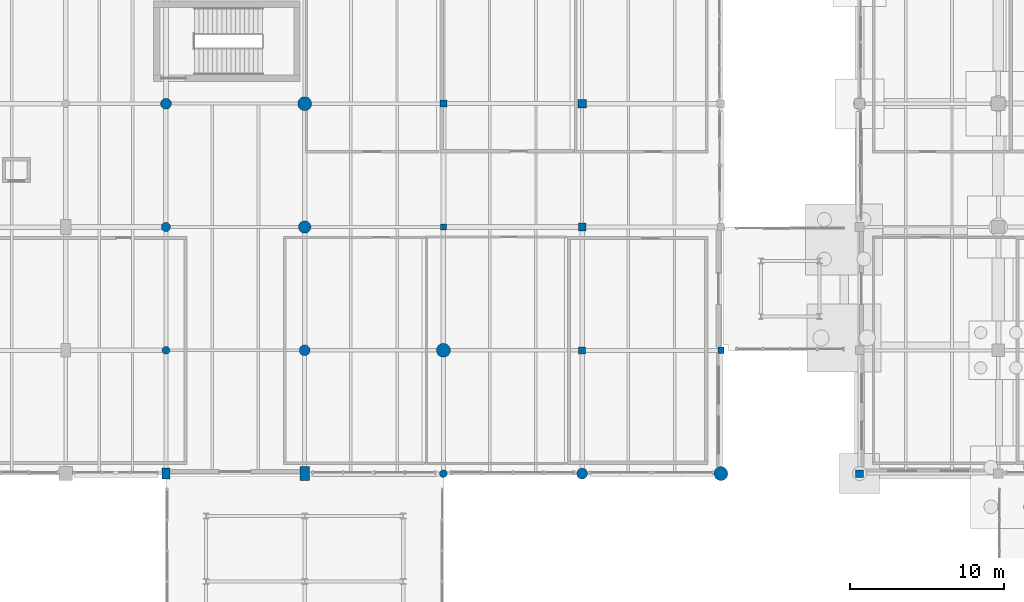
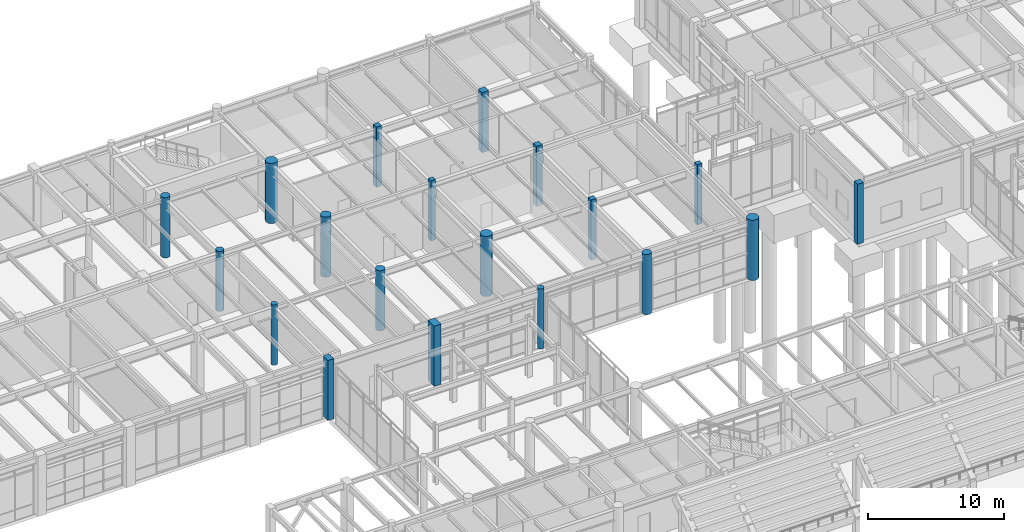
# One storey, part 15 of 203: 19 columns.
"""IFC4 building model written with IfcOpenShell, lengths in metres."""

from ifc_helpers import new_model, si_unit, direction, frame, origin, origin_2d, place, context, subcontext, project, spatial, rectangle, circle, extrude, material, material_profile, profile_set, type_object, element, save


model = new_model("IFC4")

# Units and contexts
model_context = context("Model", 3, precision=1e-05, world=origin(), true_north=direction((0.0, 1.0)))
body_context = subcontext(model_context, "Body", "Model", "MODEL_VIEW")
ifc_project = project(units=[si_unit("LENGTHUNIT", "METRE"), si_unit("AREAUNIT", "SQUARE_METRE"), si_unit("VOLUMEUNIT", "CUBIC_METRE"), si_unit("PLANEANGLEUNIT", "RADIAN"), si_unit("MASSUNIT", "GRAM", prefix="KILO"), si_unit("THERMODYNAMICTEMPERATUREUNIT", "KELVIN"), si_unit("POWERUNIT", "WATT")], contexts=[model_context])

# Site, building, storey
site_placement = place(None, origin())
site = spatial("IfcSite", under=ifc_project, at=site_placement, CompositionType="ELEMENT")
building_placement = place(site_placement, origin())
building = spatial("IfcBuilding", under=site, at=building_placement, Name="Tepalcoro Natatorium and Aquatics Centre", CompositionType="ELEMENT")
storey_placement = place(building_placement, origin())
storey = spatial("IfcBuildingStorey", under=building, at=storey_placement, Name="L00", CompositionType="ELEMENT", Elevation=0.0)

# Columns
ifc_material = material(Name="Concrete C40/50 (fc 40 MPa)", Category="concrete")
ifc_material_profile_1 = material_profile(ifc_material, rectangle(XDim=0.39990234375, YDim=0.39990234375, at=origin_2d()), Name="RC400x400")
ifc_profile_set_1 = profile_set([ifc_material_profile_1], Name="Concrete C40/50 (fc 40 MPa)")
column_type_1 = type_object("IfcColumnType", Name="COL_RC_400x400", PredefinedType="COLUMN", material=ifc_profile_set_1)
for number, where, z_axis, x_axis, name in (
    (1, (71.0, 102.0, 0.0), (0.0, 0.0, 1.0), (1.0, 0.0, 0.0), "V4 L00 Grid Column (71.0, 102.0)"),
    (2, (89.0, 94.0, 0.0), (0.0, 0.0, 1.0), (1.0, 0.0, 0.0), "V4 L00 Grid Column (89.0, 94.0)"),
):
    element("IfcColumn", number, at=place(storey_placement, frame(where, z_axis=z_axis, x_axis=x_axis)), inside=storey, type_object=column_type_1, Name=name, PredefinedType="COLUMN", context=body_context, shape_type="SweptSolid", body=[
        extrude(rectangle(XDim=0.39990234375, YDim=0.39990234375, at=origin_2d()), origin(), (0.0, 0.0, 1.0), 5.39990234375),
    ])
ifc_material_profile_2 = material_profile(ifc_material, rectangle(XDim=0.449951171875, YDim=0.449951171875, at=origin_2d()), Name="RC450x450")
ifc_profile_set_2 = profile_set([ifc_material_profile_2], Name="Concrete C40/50 (fc 40 MPa)")
column_type_2 = type_object("IfcColumnType", Name="COL_RC_450x450", PredefinedType="COLUMN", material=ifc_profile_set_2)
for number, where, z_axis, x_axis, name in (
    (3, (71.0, 110.0, 0.0), (0.0, 0.0, 1.0), (1.0, 0.0, 0.0), "V4 L00 Grid Column (71.0, 110.0)"),
    (4, (80.0, 94.0, 0.0), (0.0, 0.0, 1.0), (1.0, 0.0, 0.0), "V4 L00 Grid Column (80.0, 94.0)"),
):
    element("IfcColumn", number, at=place(storey_placement, frame(where, z_axis=z_axis, x_axis=x_axis)), inside=storey, type_object=column_type_2, Name=name, PredefinedType="COLUMN", context=body_context, shape_type="SweptSolid", body=[
        extrude(rectangle(XDim=0.449951171875, YDim=0.449951171875, at=origin_2d()), origin(), (0.0, 0.0, 1.0), 5.39990234375),
    ])
ifc_material_profile_3 = material_profile(ifc_material, rectangle(XDim=0.5, YDim=0.5, at=origin_2d()), Name="RC500x500")
ifc_profile_set_3 = profile_set([ifc_material_profile_3], Name="Concrete C40/50 (fc 40 MPa)")
column_type_3 = type_object("IfcColumnType", Name="COL_RC_500x500", PredefinedType="COLUMN", material=ifc_profile_set_3)
for number, where, z_axis, x_axis, name in (
    (5, (80.0, 102.0, 0.0), (0.0, 0.0, 1.0), (1.0, 0.0, 0.0), "V4 L00 Grid Column (80.0, 102.0)"),
    (6, (98.0, 86.0, 0.0), (0.0, 0.0, 1.0), (1.0, 0.0, 0.0), "V5 L00 Grid Column (98.0, 86.0)"),
):
    element("IfcColumn", number, at=place(storey_placement, frame(where, z_axis=z_axis, x_axis=x_axis)), inside=storey, type_object=column_type_3, Name=name, PredefinedType="COLUMN", context=body_context, shape_type="SweptSolid", body=[
        extrude(rectangle(XDim=0.5, YDim=0.5, at=origin_2d()), origin(), (0.0, 0.0, 1.0), 5.39990234375),
    ])
ifc_material_profile_4 = material_profile(ifc_material, rectangle(XDim=0.5, YDim=0.699951171875, at=origin_2d()), Name="RC500x700")
ifc_profile_set_4 = profile_set([ifc_material_profile_4], Name="Concrete C40/50 (fc 40 MPa)")
column_type_4 = type_object("IfcColumnType", Name="COL_RC_500x700", PredefinedType="COLUMN", material=ifc_profile_set_4)
column_1_placement = place(storey_placement, frame((53.0, 86.0, 0.0), z_axis=(0.0, 0.0, 1.0), x_axis=(1.0, 0.0, 0.0)))
element("IfcColumn", 7, at=column_1_placement, inside=storey, type_object=column_type_4, Name="V4 L00 Grid Column (53.0, 86.0)", PredefinedType="COLUMN", context=body_context, shape_type="SweptSolid", body=[
    extrude(rectangle(XDim=0.5, YDim=0.699951171875, at=origin_2d()), origin(), (0.0, 0.0, 1.0), 5.39990234375),
])
ifc_material_profile_5 = material_profile(ifc_material, rectangle(XDim=0.550048828125, YDim=0.550048828125, at=origin_2d()), Name="RC550x550")
ifc_profile_set_5 = profile_set([ifc_material_profile_5], Name="Concrete C40/50 (fc 40 MPa)")
column_type_5 = type_object("IfcColumnType", Name="COL_RC_550x550", PredefinedType="COLUMN", material=ifc_profile_set_5)
column_2_placement = place(storey_placement, frame((80.0, 110.0, 0.0), z_axis=(0.0, 0.0, 1.0), x_axis=(1.0, 0.0, 0.0)))
element("IfcColumn", 8, at=column_2_placement, inside=storey, type_object=column_type_5, Name="V4 L00 Grid Column (80.0, 110.0)", PredefinedType="COLUMN", context=body_context, shape_type="SweptSolid", body=[
    extrude(rectangle(XDim=0.550048828125, YDim=0.550048828125, at=origin_2d()), origin(), (0.0, 0.0, 1.0), 5.39990234375),
])
ifc_material_profile_6 = material_profile(ifc_material, rectangle(XDim=0.60009765625, YDim=0.89990234375, at=origin_2d()), Name="RC600x900")
ifc_profile_set_6 = profile_set([ifc_material_profile_6], Name="Concrete C40/50 (fc 40 MPa)")
column_type_6 = type_object("IfcColumnType", Name="COL_RC_600x900", PredefinedType="COLUMN", material=ifc_profile_set_6)
column_3_placement = place(storey_placement, frame((62.0, 86.0, 0.0), z_axis=(0.0, 0.0, 1.0), x_axis=(1.0, 0.0, 0.0)))
element("IfcColumn", 9, at=column_3_placement, inside=storey, type_object=column_type_6, Name="V4 L00 Grid Column (62.0, 86.0)", PredefinedType="COLUMN", context=body_context, shape_type="SweptSolid", body=[
    extrude(rectangle(XDim=0.60009765625, YDim=0.89990234375, at=origin_2d()), origin(), (0.0, 0.0, 1.0), 5.39990234375),
])
ifc_material_profile_7 = material_profile(ifc_material, circle(Radius=0.25, at=origin_2d()), Name="RCD500")
ifc_profile_set_7 = profile_set([ifc_material_profile_7], Name="Concrete C40/50 (fc 40 MPa)")
column_type_7 = type_object("IfcColumnType", Name="COL_RC_D500", PredefinedType="COLUMN", material=ifc_profile_set_7)
for number, where, z_axis, x_axis, name in (
    (10, (53.0, 94.0, 0.0), (0.0, 0.0, 1.0), (1.0, 0.0, 0.0), "V4 L00 Grid Column (53.0, 94.0)"),
    (11, (71.0, 86.0, 0.0), (0.0, 0.0, 1.0), (1.0, 0.0, 0.0), "V4 L00 Grid Column (71.0, 86.0)"),
):
    element("IfcColumn", number, at=place(storey_placement, frame(where, z_axis=z_axis, x_axis=x_axis)), inside=storey, type_object=column_type_7, Name=name, PredefinedType="COLUMN", context=body_context, shape_type="SweptSolid", body=[
        extrude(circle(Radius=0.25, at=origin_2d()), origin(), (0.0, 0.0, 1.0), 5.39990234375),
    ])
ifc_material_profile_8 = material_profile(ifc_material, circle(Radius=0.300048828125, at=origin_2d()), Name="RCD600")
ifc_profile_set_8 = profile_set([ifc_material_profile_8], Name="Concrete C40/50 (fc 40 MPa)")
column_type_8 = type_object("IfcColumnType", Name="COL_RC_D600", PredefinedType="COLUMN", material=ifc_profile_set_8)
column_4_placement = place(storey_placement, frame((53.0, 102.0, 0.0), z_axis=(0.0, 0.0, 1.0), x_axis=(1.0, 0.0, 0.0)))
element("IfcColumn", 12, at=column_4_placement, inside=storey, type_object=column_type_8, Name="V4 L00 Grid Column (53.0, 102.0)", PredefinedType="COLUMN", context=body_context, shape_type="SweptSolid", body=[
    extrude(circle(Radius=0.300048828125, at=origin_2d()), origin(), (0.0, 0.0, 1.0), 5.39990234375),
])
ifc_material_profile_9 = material_profile(ifc_material, circle(Radius=0.35009765625, at=origin_2d()), Name="RCD700")
ifc_profile_set_9 = profile_set([ifc_material_profile_9], Name="Concrete C40/50 (fc 40 MPa)")
column_type_9 = type_object("IfcColumnType", Name="COL_RC_D700", PredefinedType="COLUMN", material=ifc_profile_set_9)
for number, where, z_axis, x_axis, name in (
    (13, (53.0, 110.0, 0.0), (0.0, 0.0, 1.0), (1.0, 0.0, 0.0), "V4 L00 Grid Column (53.0, 110.0)"),
    (14, (62.0, 94.0, 0.0), (0.0, 0.0, 1.0), (1.0, 0.0, 0.0), "V4 L00 Grid Column (62.0, 94.0)"),
    (15, (80.0, 86.0, 0.0), (0.0, 0.0, 1.0), (1.0, 0.0, 0.0), "V4 L00 Grid Column (80.0, 86.0)"),
):
    element("IfcColumn", number, at=place(storey_placement, frame(where, z_axis=z_axis, x_axis=x_axis)), inside=storey, type_object=column_type_9, Name=name, PredefinedType="COLUMN", context=body_context, shape_type="SweptSolid", body=[
        extrude(circle(Radius=0.35009765625, at=origin_2d()), origin(), (0.0, 0.0, 1.0), 5.39990234375),
    ])
ifc_material_profile_10 = material_profile(ifc_material, circle(Radius=0.39990234375, at=origin_2d()), Name="RCD800")
ifc_profile_set_10 = profile_set([ifc_material_profile_10], Name="Concrete C40/50 (fc 40 MPa)")
column_type_10 = type_object("IfcColumnType", Name="COL_RC_D800", PredefinedType="COLUMN", material=ifc_profile_set_10)
column_5_placement = place(storey_placement, frame((62.0, 102.0, 0.0), z_axis=(0.0, 0.0, 1.0), x_axis=(1.0, 0.0, 0.0)))
element("IfcColumn", 16, at=column_5_placement, inside=storey, type_object=column_type_10, Name="V4 L00 Grid Column (62.0, 102.0)", PredefinedType="COLUMN", context=body_context, shape_type="SweptSolid", body=[
    extrude(circle(Radius=0.39990234375, at=origin_2d()), origin(), (0.0, 0.0, 1.0), 5.39990234375),
])
ifc_material_profile_11 = material_profile(ifc_material, circle(Radius=0.449951171875, at=origin_2d()), Name="RCD900")
ifc_profile_set_11 = profile_set([ifc_material_profile_11], Name="Concrete C40/50 (fc 40 MPa)")
column_type_11 = type_object("IfcColumnType", Name="COL_RC_D900", PredefinedType="COLUMN", material=ifc_profile_set_11)
for number, where, z_axis, x_axis, name in (
    (17, (62.0, 110.0, 0.0), (0.0, 0.0, 1.0), (1.0, 0.0, 0.0), "V4 L00 Grid Column (62.0, 110.0)"),
    (18, (71.0, 94.0, 0.0), (0.0, 0.0, 1.0), (1.0, 0.0, 0.0), "V4 L00 Grid Column (71.0, 94.0)"),
    (19, (89.0, 86.0, 0.0), (0.0, 0.0, 1.0), (1.0, 0.0, 0.0), "V4 L00 Grid Column (89.0, 86.0)"),
):
    element("IfcColumn", number, at=place(storey_placement, frame(where, z_axis=z_axis, x_axis=x_axis)), inside=storey, type_object=column_type_11, Name=name, PredefinedType="COLUMN", context=body_context, shape_type="SweptSolid", body=[
        extrude(circle(Radius=0.449951171875, at=origin_2d()), origin(), (0.0, 0.0, 1.0), 5.39990234375),
    ])

save(model, "model.ifc")
